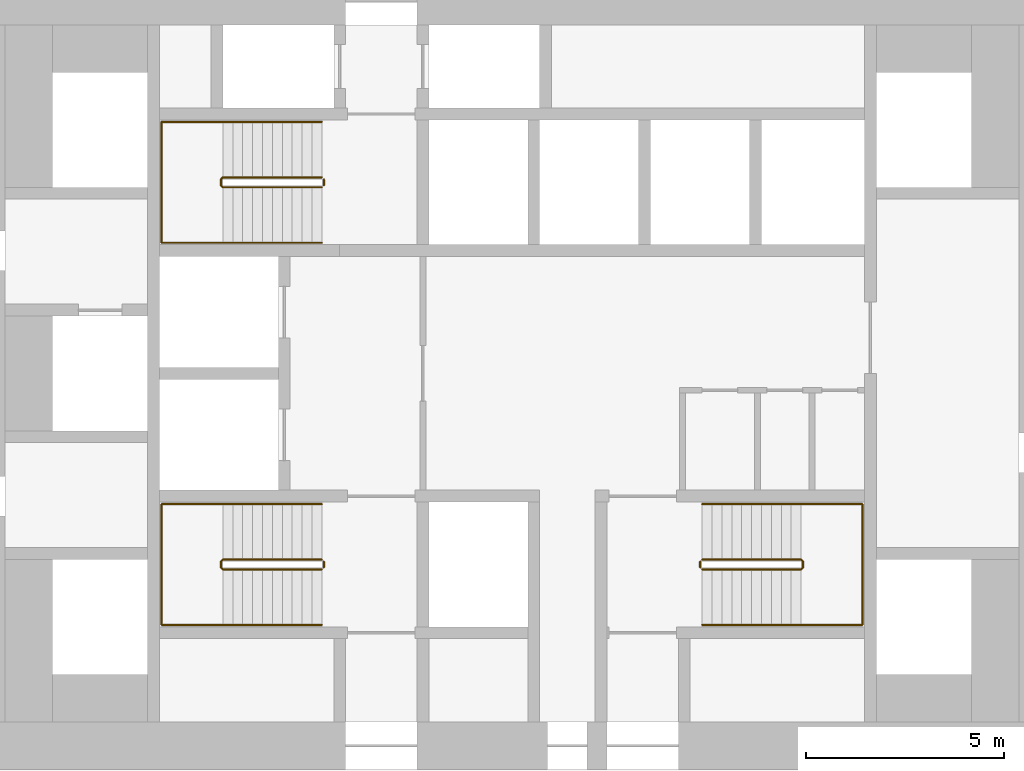
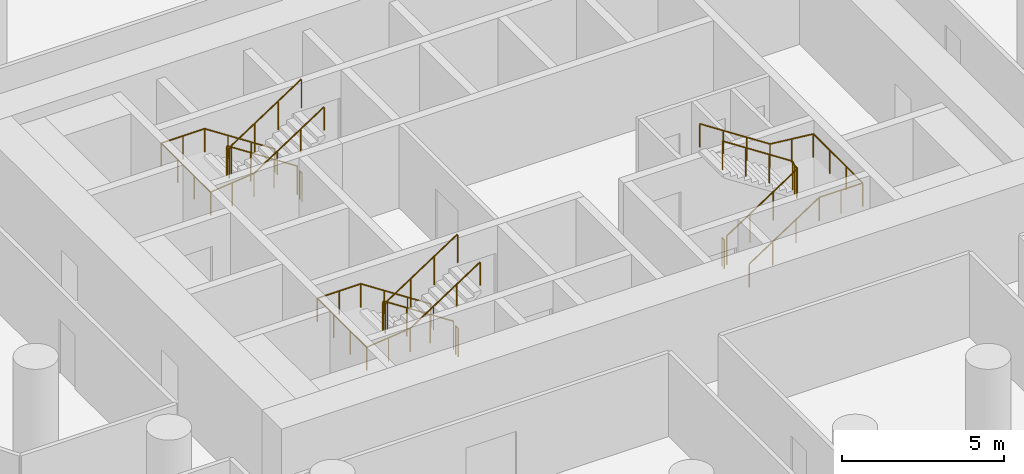
# One storey, part 11 of 11: 9 railings.
"""IFC4 building model written with IfcOpenShell, lengths in metres."""

from ifc_helpers import new_model, si_unit, direction, frame, origin, origin_2d, place, context, subcontext, project, spatial, circle, extrude, material, type_object, element, save


model = new_model("IFC4")

# Units and contexts
model_context = context("Model", 3, precision=1e-05, world=origin(), true_north=direction((0.0, 1.0)))
body_context = subcontext(model_context, "Body", "Model", "MODEL_VIEW")
ifc_project = project(units=[si_unit("LENGTHUNIT", "METRE"), si_unit("AREAUNIT", "SQUARE_METRE"), si_unit("VOLUMEUNIT", "CUBIC_METRE"), si_unit("PLANEANGLEUNIT", "RADIAN"), si_unit("MASSUNIT", "GRAM", prefix="KILO")], contexts=[model_context])

# Site, building, storey
site_placement = place(None, origin())
site = spatial("IfcSite", under=ifc_project, at=site_placement, CompositionType="ELEMENT")
building_placement = place(site_placement, origin())
building = spatial("IfcBuilding", under=site, at=building_placement, Name="Tracery Tower", CompositionType="ELEMENT")
storey_placement = place(building_placement, frame((0.0, 0.0, 67.800048828125)))
storey = spatial("IfcBuildingStorey", under=building, at=storey_placement, Name="L16", CompositionType="ELEMENT", Elevation=67.800048828125)

# Railings
ifc_material_1 = material(Name="Stainless steel and laminated glass", Category="steel")
railing_type_1 = type_object("IfcRailingType", Name="Stair guard 1100", PredefinedType="GUARDRAIL", material=ifc_material_1)
railing_1_placement = place(storey_placement, frame((-4.800048828125, -4.699951171875, 0.16357421875)))
element("IfcRailing", 1, at=railing_1_placement, inside=storey, type_object=railing_type_1, Name="L16 stair ST1 guard 1", PredefinedType="GUARDRAIL", context=body_context, shape_type="SweptSolid", body=[
    extrude(circle(Radius=0.02392578125, at=origin_2d()), frame((0.0, 0.0, 1.076171875), z_axis=(-0.83668449804, 0.0, 0.54768517484), x_axis=(0.0, -1.0, 0.0)), (0.0, 0.0, 1.0), 2.988037109375),
    extrude(circle(Radius=0.02392578125, at=origin_2d()), frame((-2.5, 0.0, 2.71240234375), z_axis=(-0.707106781187, -0.707106781187, 0.0), x_axis=(0.707106781187, -0.707106781187, 0.0)), (0.0, 0.0, 1.0), 0.07080078125),
    extrude(circle(Radius=0.02392578125, at=origin_2d()), frame((-2.550048828125, -0.050048828125, 2.71240234375), z_axis=(0.0, -1.0, 0.0), x_axis=(1.0, 0.0, 0.0)), (0.0, 0.0, 1.0), 0.14990234375),
    extrude(circle(Radius=0.02392578125, at=origin_2d()), frame((-2.550048828125, -0.199951171875, 2.71240234375), z_axis=(0.280808744504, -0.280808744504, 0.917765164963), x_axis=(0.707106781187, 0.707106781187, 0.0)), (0.0, 0.0, 1.0), 0.17822265625),
    extrude(circle(Radius=0.02392578125, at=origin_2d()), frame((-2.5, -0.25, 2.8759765625), z_axis=(0.836721939367, 0.0, 0.547627972425), x_axis=(0.0, 1.0, 0.0)), (0.0, 0.0, 1.0), 2.98779296875),
    extrude(circle(Radius=0.02099609375, at=origin_2d()), origin(), (0.0, 0.0, 1.0), 1.052001953125),
    extrude(circle(Radius=0.02099609375, at=origin_2d()), frame((-0.833251953125, 0.0, 0.54541015625)), (0.0, 0.0, 1.0), 1.052001953125),
    extrude(circle(Radius=0.02099609375, at=origin_2d()), frame((-1.666748046875, 0.0, 1.091064453125)), (0.0, 0.0, 1.0), 1.052001953125),
    extrude(circle(Radius=0.02099609375, at=origin_2d()), frame((-2.5, 0.0, 1.636474609375)), (0.0, 0.0, 1.0), 1.052001953125),
    extrude(circle(Radius=0.02099609375, at=origin_2d()), frame((-2.550048828125, -0.050048828125, 1.636474609375)), (0.0, 0.0, 1.0), 1.052001953125),
    extrude(circle(Radius=0.02099609375, at=origin_2d()), frame((-2.550048828125, -0.199951171875, 1.636474609375)), (0.0, 0.0, 1.0), 1.052001953125),
    extrude(circle(Radius=0.02099609375, at=origin_2d()), frame((-2.5, -0.25, 1.800048828125)), (0.0, 0.0, 1.0), 1.052001953125),
    extrude(circle(Radius=0.02099609375, at=origin_2d()), frame((-1.666748046875, -0.25, 2.345458984375)), (0.0, 0.0, 1.0), 1.052001953125),
    extrude(circle(Radius=0.02099609375, at=origin_2d()), frame((-0.833251953125, -0.25, 2.890869140625)), (0.0, 0.0, 1.0), 1.052001953125),
    extrude(circle(Radius=0.02099609375, at=origin_2d()), frame((0.0, -0.25, 3.436279296875)), (0.0, 0.0, 1.0), 1.052001953125),
])
railing_2_placement = place(storey_placement, frame((-4.75, -4.75, 0.0)))
element("IfcRailing", 2, at=railing_2_placement, inside=storey, type_object=railing_type_1, Name="L16 stair ST1 guard 2", PredefinedType="GUARDRAIL", context=body_context, shape_type="SweptSolid", body=[
    extrude(circle(Radius=0.02392578125, at=origin_2d()), frame((0.0, 0.0, 1.076171875), z_axis=(0.0, -1.0, 0.0), x_axis=(1.0, 0.0, 0.0)), (0.0, 0.0, 1.0), 0.14990234375),
    extrude(circle(Radius=0.02099609375, at=origin_2d()), origin(), (0.0, 0.0, 1.0), 1.052001953125),
    extrude(circle(Radius=0.02099609375, at=origin_2d()), frame((0.0, -0.14990234375, 0.0)), (0.0, 0.0, 1.0), 1.052001953125),
])
railing_3_placement = place(storey_placement, frame((-4.800048828125, 4.949951171875, 0.16357421875)))
element("IfcRailing", 3, at=railing_3_placement, inside=storey, type_object=railing_type_1, Name="L16 stair ST3 guard 1", PredefinedType="GUARDRAIL", context=body_context, shape_type="SweptSolid", body=[
    extrude(circle(Radius=0.02392578125, at=origin_2d()), frame((0.0, 0.0, 1.076171875), z_axis=(-0.83668449804, 0.0, 0.54768517484), x_axis=(0.0, -1.0, 0.0)), (0.0, 0.0, 1.0), 2.988037109375),
    extrude(circle(Radius=0.02392578125, at=origin_2d()), frame((-2.5, 0.0, 2.71240234375), z_axis=(-0.707106781187, -0.707106781187, 0.0), x_axis=(0.707106781187, -0.707106781187, 0.0)), (0.0, 0.0, 1.0), 0.07080078125),
    extrude(circle(Radius=0.02392578125, at=origin_2d()), frame((-2.550048828125, -0.050048828125, 2.71240234375), z_axis=(0.0, -1.0, 0.0), x_axis=(1.0, 0.0, 0.0)), (0.0, 0.0, 1.0), 0.14990234375),
    extrude(circle(Radius=0.02392578125, at=origin_2d()), frame((-2.550048828125, -0.199951171875, 2.71240234375), z_axis=(0.280808744504, -0.280808744504, 0.917765164963), x_axis=(0.707106781187, 0.707106781187, 0.0)), (0.0, 0.0, 1.0), 0.17822265625),
    extrude(circle(Radius=0.02392578125, at=origin_2d()), frame((-2.5, -0.25, 2.8759765625), z_axis=(0.836721939367, 0.0, 0.547627972425), x_axis=(0.0, 1.0, 0.0)), (0.0, 0.0, 1.0), 2.98779296875),
    extrude(circle(Radius=0.02099609375, at=origin_2d()), origin(), (0.0, 0.0, 1.0), 1.052001953125),
    extrude(circle(Radius=0.02099609375, at=origin_2d()), frame((-0.833251953125, 0.0, 0.54541015625)), (0.0, 0.0, 1.0), 1.052001953125),
    extrude(circle(Radius=0.02099609375, at=origin_2d()), frame((-1.666748046875, 0.0, 1.091064453125)), (0.0, 0.0, 1.0), 1.052001953125),
    extrude(circle(Radius=0.02099609375, at=origin_2d()), frame((-2.5, 0.0, 1.636474609375)), (0.0, 0.0, 1.0), 1.052001953125),
    extrude(circle(Radius=0.02099609375, at=origin_2d()), frame((-2.550048828125, -0.050048828125, 1.636474609375)), (0.0, 0.0, 1.0), 1.052001953125),
    extrude(circle(Radius=0.02099609375, at=origin_2d()), frame((-2.550048828125, -0.199951171875, 1.636474609375)), (0.0, 0.0, 1.0), 1.052001953125),
    extrude(circle(Radius=0.02099609375, at=origin_2d()), frame((-2.5, -0.25, 1.800048828125)), (0.0, 0.0, 1.0), 1.052001953125),
    extrude(circle(Radius=0.02099609375, at=origin_2d()), frame((-1.666748046875, -0.25, 2.345458984375)), (0.0, 0.0, 1.0), 1.052001953125),
    extrude(circle(Radius=0.02099609375, at=origin_2d()), frame((-0.833251953125, -0.25, 2.890869140625)), (0.0, 0.0, 1.0), 1.052001953125),
    extrude(circle(Radius=0.02099609375, at=origin_2d()), frame((0.0, -0.25, 3.436279296875)), (0.0, 0.0, 1.0), 1.052001953125),
])
railing_4_placement = place(storey_placement, frame((-4.75, 4.89990234375, 0.0)))
element("IfcRailing", 4, at=railing_4_placement, inside=storey, type_object=railing_type_1, Name="L16 stair ST3 guard 2", PredefinedType="GUARDRAIL", context=body_context, shape_type="SweptSolid", body=[
    extrude(circle(Radius=0.02392578125, at=origin_2d()), frame((0.0, 0.0, 1.076171875), z_axis=(0.0, -1.0, 0.0), x_axis=(1.0, 0.0, 0.0)), (0.0, 0.0, 1.0), 0.14990234375),
    extrude(circle(Radius=0.02099609375, at=origin_2d()), origin(), (0.0, 0.0, 1.0), 1.052001953125),
    extrude(circle(Radius=0.02099609375, at=origin_2d()), frame((0.0, -0.14990234375, 0.0)), (0.0, 0.0, 1.0), 1.052001953125),
])
railing_5_placement = place(storey_placement, frame((4.800048828125, -4.949951171875, 0.16357421875)))
element("IfcRailing", 5, at=railing_5_placement, inside=storey, type_object=railing_type_1, Name="L16 stair ST2 guard 1", PredefinedType="GUARDRAIL", context=body_context, shape_type="SweptSolid", body=[
    extrude(circle(Radius=0.02392578125, at=origin_2d()), frame((0.0, 0.0, 1.076171875), z_axis=(0.83668449804, 0.0, 0.54768517484), x_axis=(0.0, 1.0, 0.0)), (0.0, 0.0, 1.0), 2.988037109375),
    extrude(circle(Radius=0.02392578125, at=origin_2d()), frame((2.5, 0.0, 2.71240234375), z_axis=(0.707106781187, 0.707106781187, 0.0), x_axis=(-0.707106781187, 0.707106781187, 0.0)), (0.0, 0.0, 1.0), 0.07080078125),
    extrude(circle(Radius=0.02392578125, at=origin_2d()), frame((2.550048828125, 0.050048828125, 2.71240234375), z_axis=(0.0, 1.0, 0.0), x_axis=(-1.0, 0.0, 0.0)), (0.0, 0.0, 1.0), 0.14990234375),
    extrude(circle(Radius=0.02392578125, at=origin_2d()), frame((2.550048828125, 0.199951171875, 2.71240234375), z_axis=(-0.280808744504, 0.280808744504, 0.917765164963), x_axis=(-0.707106781187, -0.707106781187, 0.0)), (0.0, 0.0, 1.0), 0.17822265625),
    extrude(circle(Radius=0.02392578125, at=origin_2d()), frame((2.5, 0.25, 2.8759765625), z_axis=(-0.836721939367, 0.0, 0.547627972425), x_axis=(0.0, -1.0, 0.0)), (0.0, 0.0, 1.0), 2.98779296875),
    extrude(circle(Radius=0.02099609375, at=origin_2d()), origin(), (0.0, 0.0, 1.0), 1.052001953125),
    extrude(circle(Radius=0.02099609375, at=origin_2d()), frame((0.833251953125, 0.0, 0.54541015625)), (0.0, 0.0, 1.0), 1.052001953125),
    extrude(circle(Radius=0.02099609375, at=origin_2d()), frame((1.666748046875, 0.0, 1.091064453125)), (0.0, 0.0, 1.0), 1.052001953125),
    extrude(circle(Radius=0.02099609375, at=origin_2d()), frame((2.5, 0.0, 1.636474609375)), (0.0, 0.0, 1.0), 1.052001953125),
    extrude(circle(Radius=0.02099609375, at=origin_2d()), frame((2.550048828125, 0.050048828125, 1.636474609375)), (0.0, 0.0, 1.0), 1.052001953125),
    extrude(circle(Radius=0.02099609375, at=origin_2d()), frame((2.550048828125, 0.199951171875, 1.636474609375)), (0.0, 0.0, 1.0), 1.052001953125),
    extrude(circle(Radius=0.02099609375, at=origin_2d()), frame((2.5, 0.25, 1.800048828125)), (0.0, 0.0, 1.0), 1.052001953125),
    extrude(circle(Radius=0.02099609375, at=origin_2d()), frame((1.666748046875, 0.25, 2.345458984375)), (0.0, 0.0, 1.0), 1.052001953125),
    extrude(circle(Radius=0.02099609375, at=origin_2d()), frame((0.833251953125, 0.25, 2.890869140625)), (0.0, 0.0, 1.0), 1.052001953125),
    extrude(circle(Radius=0.02099609375, at=origin_2d()), frame((0.0, 0.25, 3.436279296875)), (0.0, 0.0, 1.0), 1.052001953125),
])
railing_6_placement = place(storey_placement, frame((4.75, -4.89990234375, 0.0)))
element("IfcRailing", 6, at=railing_6_placement, inside=storey, type_object=railing_type_1, Name="L16 stair ST2 guard 2", PredefinedType="GUARDRAIL", context=body_context, shape_type="SweptSolid", body=[
    extrude(circle(Radius=0.02392578125, at=origin_2d()), frame((0.0, 0.0, 1.076171875), z_axis=(0.0, 1.0, 0.0), x_axis=(-1.0, 0.0, 0.0)), (0.0, 0.0, 1.0), 0.14990234375),
    extrude(circle(Radius=0.02099609375, at=origin_2d()), origin(), (0.0, 0.0, 1.0), 1.052001953125),
    extrude(circle(Radius=0.02099609375, at=origin_2d()), frame((0.0, 0.14990234375, 0.0)), (0.0, 0.0, 1.0), 1.052001953125),
])
ifc_material_2 = material(Name="Stainless steel and laminated glass", Category="steel")
railing_type_2 = type_object("IfcRailingType", Name="Stair handrail 900", PredefinedType="HANDRAIL", material=ifc_material_2)
railing_7_placement = place(storey_placement, frame((-4.800048828125, -3.300048828125, 0.16357421875)))
element("IfcRailing", 7, at=railing_7_placement, inside=storey, type_object=railing_type_2, Name="L16 stair ST1 handrail 1", PredefinedType="HANDRAIL", context=body_context, shape_type="SweptSolid", body=[
    extrude(circle(Radius=0.02392578125, at=origin_2d()), frame((0.0, 0.0, 0.8759765625), z_axis=(-0.83668449804, 0.0, 0.54768517484), x_axis=(0.0, -1.0, 0.0)), (0.0, 0.0, 1.0), 2.988037109375),
    extrude(circle(Radius=0.02392578125, at=origin_2d()), frame((-2.5, 0.0, 2.51220703125), z_axis=(-1.0, 0.0, 0.0), x_axis=(0.0, -1.0, 0.0)), (0.0, 0.0, 1.0), 1.550048828125),
    extrude(circle(Radius=0.02392578125, at=origin_2d()), frame((-4.050048828125, 0.0, 2.51220703125), z_axis=(0.0, -1.0, 0.0), x_axis=(1.0, 0.0, 0.0)), (0.0, 0.0, 1.0), 3.050048828125),
    extrude(circle(Radius=0.02392578125, at=origin_2d()), frame((-4.050048828125, -3.050048828125, 2.51220703125), z_axis=(0.994477953863, 0.0, 0.104945696817), x_axis=(0.0, 1.0, 0.0)), (0.0, 0.0, 1.0), 1.55859375),
    extrude(circle(Radius=0.02392578125, at=origin_2d()), frame((-2.5, -3.050048828125, 2.67578125), z_axis=(0.836721939367, 0.0, 0.547627972425), x_axis=(0.0, 1.0, 0.0)), (0.0, 0.0, 1.0), 2.98779296875),
    extrude(circle(Radius=0.02099609375, at=origin_2d()), origin(), (0.0, 0.0, 1.0), 0.851806640625),
    extrude(circle(Radius=0.02099609375, at=origin_2d()), frame((-0.833251953125, 0.0, 0.54541015625)), (0.0, 0.0, 1.0), 0.851806640625),
    extrude(circle(Radius=0.02099609375, at=origin_2d()), frame((-1.666748046875, 0.0, 1.091064453125)), (0.0, 0.0, 1.0), 0.851806640625),
    extrude(circle(Radius=0.02099609375, at=origin_2d()), frame((-2.5, 0.0, 1.636474609375)), (0.0, 0.0, 1.0), 0.851806640625),
    extrude(circle(Radius=0.02099609375, at=origin_2d()), frame((-3.27490234375, 0.0, 1.636474609375)), (0.0, 0.0, 1.0), 0.851806640625),
    extrude(circle(Radius=0.02099609375, at=origin_2d()), frame((-4.050048828125, 0.0, 1.636474609375)), (0.0, 0.0, 1.0), 0.851806640625),
    extrude(circle(Radius=0.02099609375, at=origin_2d()), frame((-4.050048828125, -1.0166015625, 1.636474609375)), (0.0, 0.0, 1.0), 0.851806640625),
    extrude(circle(Radius=0.02099609375, at=origin_2d()), frame((-4.050048828125, -2.033447265625, 1.636474609375)), (0.0, 0.0, 1.0), 0.851806640625),
    extrude(circle(Radius=0.02099609375, at=origin_2d()), frame((-4.050048828125, -3.050048828125, 1.636474609375)), (0.0, 0.0, 1.0), 0.851806640625),
    extrude(circle(Radius=0.02099609375, at=origin_2d()), frame((-3.27490234375, -3.050048828125, 1.71826171875)), (0.0, 0.0, 1.0), 0.851806640625),
    extrude(circle(Radius=0.02099609375, at=origin_2d()), frame((-2.5, -3.050048828125, 1.800048828125)), (0.0, 0.0, 1.0), 0.851806640625),
    extrude(circle(Radius=0.02099609375, at=origin_2d()), frame((-1.666748046875, -3.050048828125, 2.345458984375)), (0.0, 0.0, 1.0), 0.851806640625),
    extrude(circle(Radius=0.02099609375, at=origin_2d()), frame((-0.833251953125, -3.050048828125, 2.890869140625)), (0.0, 0.0, 1.0), 0.851806640625),
    extrude(circle(Radius=0.02099609375, at=origin_2d()), frame((0.0, -3.050048828125, 3.436279296875)), (0.0, 0.0, 1.0), 0.851806640625),
])
railing_8_placement = place(storey_placement, frame((-4.800048828125, 6.35009765625, 0.16357421875)))
element("IfcRailing", 8, at=railing_8_placement, inside=storey, type_object=railing_type_2, Name="L16 stair ST3 handrail 1", PredefinedType="HANDRAIL", context=body_context, shape_type="SweptSolid", body=[
    extrude(circle(Radius=0.02392578125, at=origin_2d()), frame((0.0, 0.0, 0.8759765625), z_axis=(-0.83668449804, 0.0, 0.54768517484), x_axis=(0.0, -1.0, 0.0)), (0.0, 0.0, 1.0), 2.988037109375),
    extrude(circle(Radius=0.02392578125, at=origin_2d()), frame((-2.5, 0.0, 2.51220703125), z_axis=(-1.0, 0.0, 0.0), x_axis=(0.0, -1.0, 0.0)), (0.0, 0.0, 1.0), 1.550048828125),
    extrude(circle(Radius=0.02392578125, at=origin_2d()), frame((-4.050048828125, 0.0, 2.51220703125), z_axis=(0.0, -1.0, 0.0), x_axis=(1.0, 0.0, 0.0)), (0.0, 0.0, 1.0), 3.050048828125),
    extrude(circle(Radius=0.02392578125, at=origin_2d()), frame((-4.050048828125, -3.050048828125, 2.51220703125), z_axis=(0.994477953863, 0.0, 0.104945696817), x_axis=(0.0, 1.0, 0.0)), (0.0, 0.0, 1.0), 1.55859375),
    extrude(circle(Radius=0.02392578125, at=origin_2d()), frame((-2.5, -3.050048828125, 2.67578125), z_axis=(0.836721939367, 0.0, 0.547627972425), x_axis=(0.0, 1.0, 0.0)), (0.0, 0.0, 1.0), 2.98779296875),
    extrude(circle(Radius=0.02099609375, at=origin_2d()), origin(), (0.0, 0.0, 1.0), 0.851806640625),
    extrude(circle(Radius=0.02099609375, at=origin_2d()), frame((-0.833251953125, 0.0, 0.54541015625)), (0.0, 0.0, 1.0), 0.851806640625),
    extrude(circle(Radius=0.02099609375, at=origin_2d()), frame((-1.666748046875, 0.0, 1.091064453125)), (0.0, 0.0, 1.0), 0.851806640625),
    extrude(circle(Radius=0.02099609375, at=origin_2d()), frame((-2.5, 0.0, 1.636474609375)), (0.0, 0.0, 1.0), 0.851806640625),
    extrude(circle(Radius=0.02099609375, at=origin_2d()), frame((-3.27490234375, 0.0, 1.636474609375)), (0.0, 0.0, 1.0), 0.851806640625),
    extrude(circle(Radius=0.02099609375, at=origin_2d()), frame((-4.050048828125, 0.0, 1.636474609375)), (0.0, 0.0, 1.0), 0.851806640625),
    extrude(circle(Radius=0.02099609375, at=origin_2d()), frame((-4.050048828125, -1.0166015625, 1.636474609375)), (0.0, 0.0, 1.0), 0.851806640625),
    extrude(circle(Radius=0.02099609375, at=origin_2d()), frame((-4.050048828125, -2.033447265625, 1.636474609375)), (0.0, 0.0, 1.0), 0.851806640625),
    extrude(circle(Radius=0.02099609375, at=origin_2d()), frame((-4.050048828125, -3.050048828125, 1.636474609375)), (0.0, 0.0, 1.0), 0.851806640625),
    extrude(circle(Radius=0.02099609375, at=origin_2d()), frame((-3.27490234375, -3.050048828125, 1.71826171875)), (0.0, 0.0, 1.0), 0.851806640625),
    extrude(circle(Radius=0.02099609375, at=origin_2d()), frame((-2.5, -3.050048828125, 1.800048828125)), (0.0, 0.0, 1.0), 0.851806640625),
    extrude(circle(Radius=0.02099609375, at=origin_2d()), frame((-1.666748046875, -3.050048828125, 2.345458984375)), (0.0, 0.0, 1.0), 0.851806640625),
    extrude(circle(Radius=0.02099609375, at=origin_2d()), frame((-0.833251953125, -3.050048828125, 2.890869140625)), (0.0, 0.0, 1.0), 0.851806640625),
    extrude(circle(Radius=0.02099609375, at=origin_2d()), frame((0.0, -3.050048828125, 3.436279296875)), (0.0, 0.0, 1.0), 0.851806640625),
])
railing_9_placement = place(storey_placement, frame((4.800048828125, -6.35009765625, 0.16357421875)))
element("IfcRailing", 9, at=railing_9_placement, inside=storey, type_object=railing_type_2, Name="L16 stair ST2 handrail 1", PredefinedType="HANDRAIL", context=body_context, shape_type="SweptSolid", body=[
    extrude(circle(Radius=0.02392578125, at=origin_2d()), frame((0.0, 0.0, 0.8759765625), z_axis=(0.83668449804, 0.0, 0.54768517484), x_axis=(0.0, 1.0, 0.0)), (0.0, 0.0, 1.0), 2.988037109375),
    extrude(circle(Radius=0.02392578125, at=origin_2d()), frame((2.5, 0.0, 2.51220703125), z_axis=(1.0, 0.0, 0.0), x_axis=(0.0, 1.0, 0.0)), (0.0, 0.0, 1.0), 1.550048828125),
    extrude(circle(Radius=0.02392578125, at=origin_2d()), frame((4.050048828125, 0.0, 2.51220703125), z_axis=(0.0, 1.0, 0.0), x_axis=(-1.0, 0.0, 0.0)), (0.0, 0.0, 1.0), 3.050048828125),
    extrude(circle(Radius=0.02392578125, at=origin_2d()), frame((4.050048828125, 3.050048828125, 2.51220703125), z_axis=(-0.994477953863, 0.0, 0.104945696817), x_axis=(0.0, -1.0, 0.0)), (0.0, 0.0, 1.0), 1.55859375),
    extrude(circle(Radius=0.02392578125, at=origin_2d()), frame((2.5, 3.050048828125, 2.67578125), z_axis=(-0.836721939367, 0.0, 0.547627972425), x_axis=(0.0, -1.0, 0.0)), (0.0, 0.0, 1.0), 2.98779296875),
    extrude(circle(Radius=0.02099609375, at=origin_2d()), origin(), (0.0, 0.0, 1.0), 0.851806640625),
    extrude(circle(Radius=0.02099609375, at=origin_2d()), frame((0.833251953125, 0.0, 0.54541015625)), (0.0, 0.0, 1.0), 0.851806640625),
    extrude(circle(Radius=0.02099609375, at=origin_2d()), frame((1.666748046875, 0.0, 1.091064453125)), (0.0, 0.0, 1.0), 0.851806640625),
    extrude(circle(Radius=0.02099609375, at=origin_2d()), frame((2.5, 0.0, 1.636474609375)), (0.0, 0.0, 1.0), 0.851806640625),
    extrude(circle(Radius=0.02099609375, at=origin_2d()), frame((3.27490234375, 0.0, 1.636474609375)), (0.0, 0.0, 1.0), 0.851806640625),
    extrude(circle(Radius=0.02099609375, at=origin_2d()), frame((4.050048828125, 0.0, 1.636474609375)), (0.0, 0.0, 1.0), 0.851806640625),
    extrude(circle(Radius=0.02099609375, at=origin_2d()), frame((4.050048828125, 1.0166015625, 1.636474609375)), (0.0, 0.0, 1.0), 0.851806640625),
    extrude(circle(Radius=0.02099609375, at=origin_2d()), frame((4.050048828125, 2.033447265625, 1.636474609375)), (0.0, 0.0, 1.0), 0.851806640625),
    extrude(circle(Radius=0.02099609375, at=origin_2d()), frame((4.050048828125, 3.050048828125, 1.636474609375)), (0.0, 0.0, 1.0), 0.851806640625),
    extrude(circle(Radius=0.02099609375, at=origin_2d()), frame((3.27490234375, 3.050048828125, 1.71826171875)), (0.0, 0.0, 1.0), 0.851806640625),
    extrude(circle(Radius=0.02099609375, at=origin_2d()), frame((2.5, 3.050048828125, 1.800048828125)), (0.0, 0.0, 1.0), 0.851806640625),
    extrude(circle(Radius=0.02099609375, at=origin_2d()), frame((1.666748046875, 3.050048828125, 2.345458984375)), (0.0, 0.0, 1.0), 0.851806640625),
    extrude(circle(Radius=0.02099609375, at=origin_2d()), frame((0.833251953125, 3.050048828125, 2.890869140625)), (0.0, 0.0, 1.0), 0.851806640625),
    extrude(circle(Radius=0.02099609375, at=origin_2d()), frame((0.0, 3.050048828125, 3.436279296875)), (0.0, 0.0, 1.0), 0.851806640625),
])

save(model, "model.ifc")
